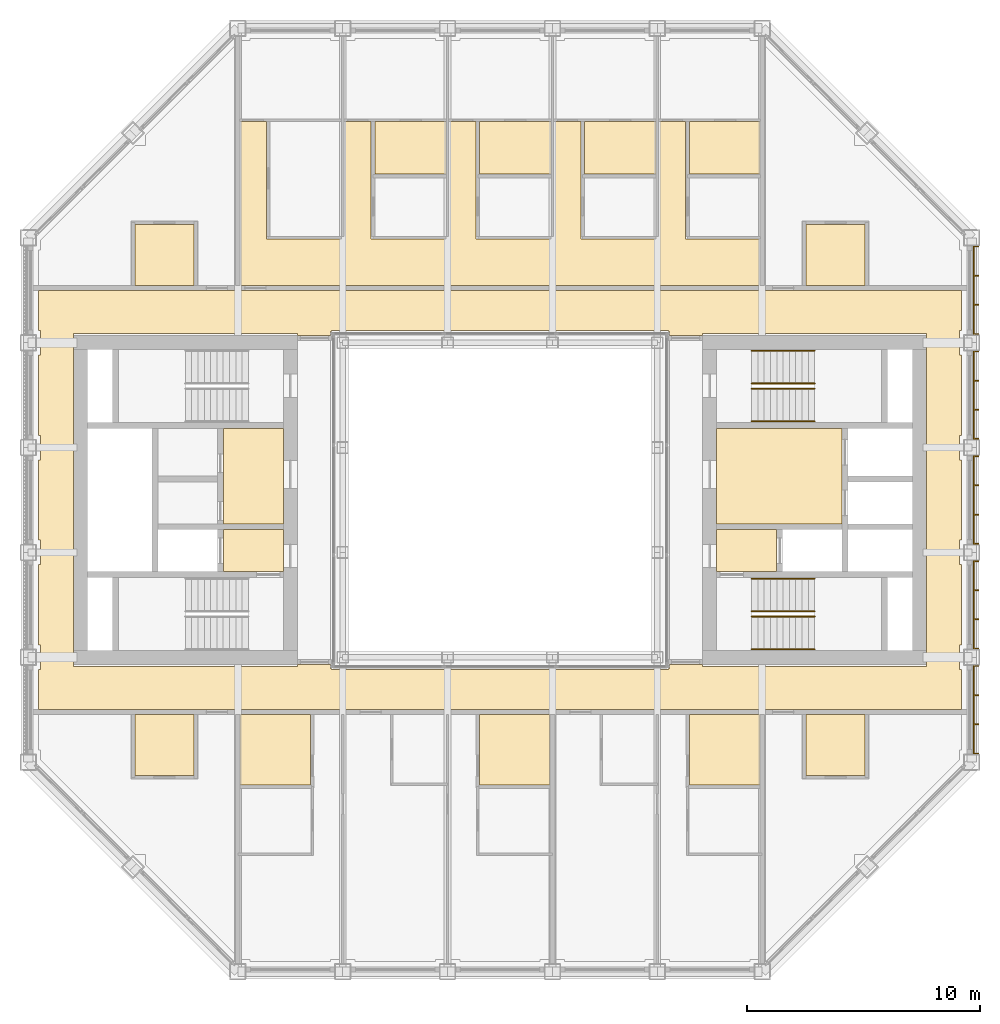
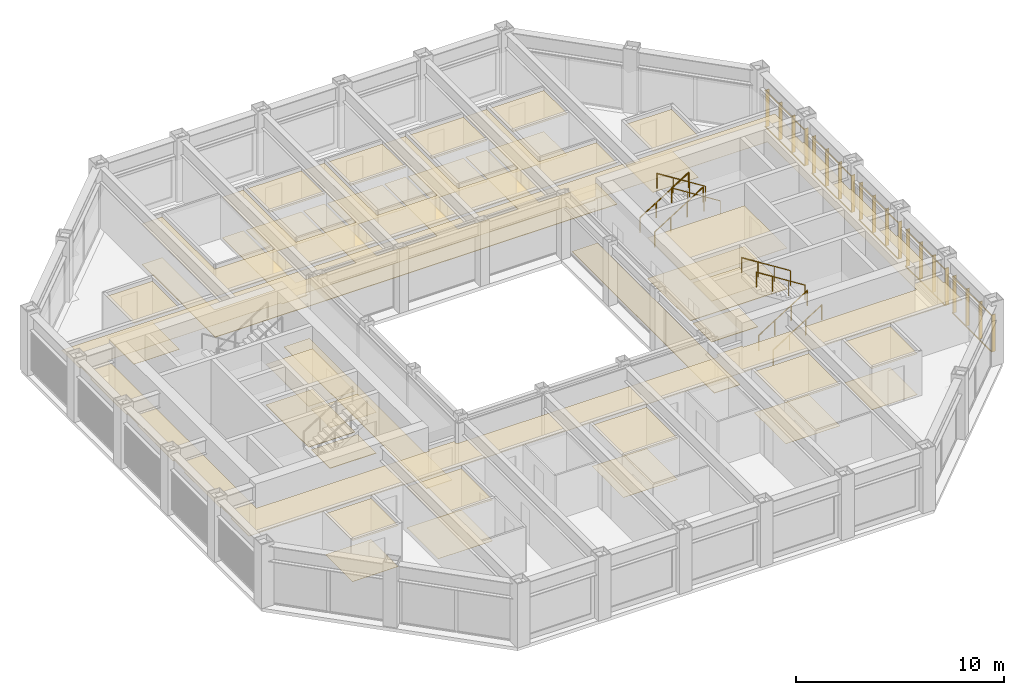
# One storey, part 17 of 18: 8 railings, 4 coverings, 1 shading device.
"""IFC4 building model written with IfcOpenShell, lengths in metres."""

from ifc_helpers import new_model, si_unit, direction, frame, origin, origin_2d, place, context, subcontext, project, spatial, line, indexed_curve, rectangle, circle, outline, extrude, material, layer, layer_set, type_object, element, save


model = new_model("IFC4")

# Units and contexts
model_context = context("Model", 3, precision=1e-05, world=origin(), true_north=direction((0.0, 1.0)))
body_context = subcontext(model_context, "Body", "Model", "MODEL_VIEW")
ifc_project = project(units=[si_unit("LENGTHUNIT", "METRE"), si_unit("AREAUNIT", "SQUARE_METRE"), si_unit("VOLUMEUNIT", "CUBIC_METRE"), si_unit("PLANEANGLEUNIT", "RADIAN"), si_unit("MASSUNIT", "GRAM", prefix="KILO")], contexts=[model_context])

# Site, building, storey
site_placement = place(None, origin())
site = spatial("IfcSite", under=ifc_project, at=site_placement, CompositionType="ELEMENT")
building_placement = place(site_placement, origin())
building = spatial("IfcBuilding", under=site, at=building_placement, Name="Msasa Ring Tower", CompositionType="ELEMENT")
storey_placement = place(building_placement, frame((0.0, 0.0, 249.550048828125)))
storey = spatial("IfcBuildingStorey", under=building, at=storey_placement, Name="L65", CompositionType="ELEMENT", Elevation=249.550048828125)

# Shading device
ifc_material_1 = material(Name="Extruded terracotta on aluminium carriers", Category="masonry")
shading_device_type = type_object("IfcShadingDeviceType", Name="BS2 TERRACOTTA FIN SCREEN 40x200 AT 1350", PredefinedType="USERDEFINED", material=ifc_material_1)
shading_device_placement = place(storey_placement, origin())
element("IfcShadingDevice", 1, at=shading_device_placement, inside=storey, type_object=shading_device_type, Name="Terracotta fin screen E L65", ObjectType="BAGUETTE", PredefinedType="USERDEFINED", context=body_context, shape_type="SweptSolid", body=[
    extrude(rectangle(XDim=0.06005859375, YDim=0.0400390625, at=origin_2d()), frame((20.330078125, -10.89990234375, 0.329833984375), z_axis=(0.0, 1.0, 0.0), x_axis=(0.0, 0.0, 1.0)), (0.0, 0.0, 1.0), 3.800048828125),
    extrude(rectangle(XDim=0.06005859375, YDim=0.0400390625, at=origin_2d()), frame((20.330078125, -10.89990234375, 2.448974609375), z_axis=(0.0, 1.0, 0.0), x_axis=(0.0, 0.0, 1.0)), (0.0, 0.0, 1.0), 3.800048828125),
    extrude(rectangle(XDim=0.0400390625, YDim=0.199951171875, at=origin_2d()), frame((20.445068359375, -10.8798828125, 0.300048828125), z_axis=(0.0, 0.0, 1.0), x_axis=(0.0, 1.0, 0.0)), (0.0, 0.0, 1.0), 2.178955078125),
    extrude(rectangle(XDim=0.0400390625, YDim=0.199951171875, at=origin_2d()), frame((20.445068359375, -9.626708984375, 0.300048828125), z_axis=(0.0, 0.0, 1.0), x_axis=(0.0, 1.0, 0.0)), (0.0, 0.0, 1.0), 2.178955078125),
    extrude(rectangle(XDim=0.0400390625, YDim=0.199951171875, at=origin_2d()), frame((20.445068359375, -8.373291015625, 0.300048828125), z_axis=(0.0, 0.0, 1.0), x_axis=(0.0, 1.0, 0.0)), (0.0, 0.0, 1.0), 2.178955078125),
    extrude(rectangle(XDim=0.0400390625, YDim=0.199951171875, at=origin_2d()), frame((20.445068359375, -7.1201171875, 0.300048828125), z_axis=(0.0, 0.0, 1.0), x_axis=(0.0, 1.0, 0.0)), (0.0, 0.0, 1.0), 2.178955078125),
    extrude(rectangle(XDim=0.06005859375, YDim=0.0400390625, at=origin_2d()), frame((20.330078125, -6.39990234375, 0.329833984375), z_axis=(0.0, 1.0, 0.0), x_axis=(0.0, 0.0, 1.0)), (0.0, 0.0, 1.0), 3.800048828125),
    extrude(rectangle(XDim=0.06005859375, YDim=0.0400390625, at=origin_2d()), frame((20.330078125, -6.39990234375, 2.448974609375), z_axis=(0.0, 1.0, 0.0), x_axis=(0.0, 0.0, 1.0)), (0.0, 0.0, 1.0), 3.800048828125),
    extrude(rectangle(XDim=0.0400390625, YDim=0.199951171875, at=origin_2d()), frame((20.445068359375, -6.3798828125, 0.300048828125), z_axis=(0.0, 0.0, 1.0), x_axis=(0.0, 1.0, 0.0)), (0.0, 0.0, 1.0), 2.178955078125),
    extrude(rectangle(XDim=0.0400390625, YDim=0.199951171875, at=origin_2d()), frame((20.445068359375, -5.126708984375, 0.300048828125), z_axis=(0.0, 0.0, 1.0), x_axis=(0.0, 1.0, 0.0)), (0.0, 0.0, 1.0), 2.178955078125),
    extrude(rectangle(XDim=0.0400390625, YDim=0.199951171875, at=origin_2d()), frame((20.445068359375, -3.873291015625, 0.300048828125), z_axis=(0.0, 0.0, 1.0), x_axis=(0.0, 1.0, 0.0)), (0.0, 0.0, 1.0), 2.178955078125),
    extrude(rectangle(XDim=0.0400390625, YDim=0.199951171875, at=origin_2d()), frame((20.445068359375, -2.6201171875, 0.300048828125), z_axis=(0.0, 0.0, 1.0), x_axis=(0.0, 1.0, 0.0)), (0.0, 0.0, 1.0), 2.178955078125),
    extrude(rectangle(XDim=0.06005859375, YDim=0.0400390625, at=origin_2d()), frame((20.330078125, -1.89990234375, 0.329833984375), z_axis=(0.0, 1.0, 0.0), x_axis=(0.0, 0.0, 1.0)), (0.0, 0.0, 1.0), 3.800048828125),
    extrude(rectangle(XDim=0.06005859375, YDim=0.0400390625, at=origin_2d()), frame((20.330078125, -1.89990234375, 2.448974609375), z_axis=(0.0, 1.0, 0.0), x_axis=(0.0, 0.0, 1.0)), (0.0, 0.0, 1.0), 3.800048828125),
    extrude(rectangle(XDim=0.0400390625, YDim=0.199951171875, at=origin_2d()), frame((20.445068359375, -1.8798828125, 0.300048828125), z_axis=(0.0, 0.0, 1.0), x_axis=(0.0, 1.0, 0.0)), (0.0, 0.0, 1.0), 2.178955078125),
    extrude(rectangle(XDim=0.0400390625, YDim=0.199951171875, at=origin_2d()), frame((20.445068359375, -0.626708984375, 0.300048828125), z_axis=(0.0, 0.0, 1.0), x_axis=(0.0, 1.0, 0.0)), (0.0, 0.0, 1.0), 2.178955078125),
    extrude(rectangle(XDim=0.0400390625, YDim=0.199951171875, at=origin_2d()), frame((20.445068359375, 0.626708984375, 0.300048828125), z_axis=(0.0, 0.0, 1.0), x_axis=(0.0, 1.0, 0.0)), (0.0, 0.0, 1.0), 2.178955078125),
    extrude(rectangle(XDim=0.0400390625, YDim=0.199951171875, at=origin_2d()), frame((20.445068359375, 1.8798828125, 0.300048828125), z_axis=(0.0, 0.0, 1.0), x_axis=(0.0, 1.0, 0.0)), (0.0, 0.0, 1.0), 2.178955078125),
    extrude(rectangle(XDim=0.06005859375, YDim=0.0400390625, at=origin_2d()), frame((20.330078125, 2.60009765625, 0.329833984375), z_axis=(0.0, 1.0, 0.0), x_axis=(0.0, 0.0, 1.0)), (0.0, 0.0, 1.0), 3.800048828125),
    extrude(rectangle(XDim=0.06005859375, YDim=0.0400390625, at=origin_2d()), frame((20.330078125, 2.60009765625, 2.448974609375), z_axis=(0.0, 1.0, 0.0), x_axis=(0.0, 0.0, 1.0)), (0.0, 0.0, 1.0), 3.800048828125),
    extrude(rectangle(XDim=0.0400390625, YDim=0.199951171875, at=origin_2d()), frame((20.445068359375, 2.6201171875, 0.300048828125), z_axis=(0.0, 0.0, 1.0), x_axis=(0.0, 1.0, 0.0)), (0.0, 0.0, 1.0), 2.178955078125),
    extrude(rectangle(XDim=0.0400390625, YDim=0.199951171875, at=origin_2d()), frame((20.445068359375, 3.873291015625, 0.300048828125), z_axis=(0.0, 0.0, 1.0), x_axis=(0.0, 1.0, 0.0)), (0.0, 0.0, 1.0), 2.178955078125),
    extrude(rectangle(XDim=0.0400390625, YDim=0.199951171875, at=origin_2d()), frame((20.445068359375, 5.126708984375, 0.300048828125), z_axis=(0.0, 0.0, 1.0), x_axis=(0.0, 1.0, 0.0)), (0.0, 0.0, 1.0), 2.178955078125),
    extrude(rectangle(XDim=0.0400390625, YDim=0.199951171875, at=origin_2d()), frame((20.445068359375, 6.3798828125, 0.300048828125), z_axis=(0.0, 0.0, 1.0), x_axis=(0.0, 1.0, 0.0)), (0.0, 0.0, 1.0), 2.178955078125),
    extrude(rectangle(XDim=0.06005859375, YDim=0.0400390625, at=origin_2d()), frame((20.330078125, 7.10009765625, 0.329833984375), z_axis=(0.0, 1.0, 0.0), x_axis=(0.0, 0.0, 1.0)), (0.0, 0.0, 1.0), 3.800048828125),
    extrude(rectangle(XDim=0.06005859375, YDim=0.0400390625, at=origin_2d()), frame((20.330078125, 7.10009765625, 2.448974609375), z_axis=(0.0, 1.0, 0.0), x_axis=(0.0, 0.0, 1.0)), (0.0, 0.0, 1.0), 3.800048828125),
    extrude(rectangle(XDim=0.0400390625, YDim=0.199951171875, at=origin_2d()), frame((20.445068359375, 7.1201171875, 0.300048828125), z_axis=(0.0, 0.0, 1.0), x_axis=(0.0, 1.0, 0.0)), (0.0, 0.0, 1.0), 2.178955078125),
    extrude(rectangle(XDim=0.0400390625, YDim=0.199951171875, at=origin_2d()), frame((20.445068359375, 8.373291015625, 0.300048828125), z_axis=(0.0, 0.0, 1.0), x_axis=(0.0, 1.0, 0.0)), (0.0, 0.0, 1.0), 2.178955078125),
    extrude(rectangle(XDim=0.0400390625, YDim=0.199951171875, at=origin_2d()), frame((20.445068359375, 9.626708984375, 0.300048828125), z_axis=(0.0, 0.0, 1.0), x_axis=(0.0, 1.0, 0.0)), (0.0, 0.0, 1.0), 2.178955078125),
    extrude(rectangle(XDim=0.0400390625, YDim=0.199951171875, at=origin_2d()), frame((20.445068359375, 10.8798828125, 0.300048828125), z_axis=(0.0, 0.0, 1.0), x_axis=(0.0, 1.0, 0.0)), (0.0, 0.0, 1.0), 2.178955078125),
])

# Coverings
ifc_material_2 = material(Name="Gypsum plasterboard on a steel suspension grid", Category="steel")
ifc_layer_1 = layer(ifc_material_2, 0.014892578125)
ifc_layer_set_1 = layer_set([ifc_layer_1], Name="C1 SUSPENDED PLASTERBOARD CEILING 15")
covering_type_1 = type_object("IfcCoveringType", Name="C1 SUSPENDED PLASTERBOARD CEILING 15", PredefinedType="CEILING", material=ifc_layer_set_1)
covering_1_placement = place(storey_placement, frame((0.0, 0.0, 2.39990234375)))
element("IfcCovering", 2, at=covering_1_placement, inside=storey, type_object=covering_type_1, Name="Suspended Plasterboard Ceiling 15 circulation L65", PredefinedType="CEILING", context=body_context, shape_type="SweptSolid", body=[
    extrude(outline(indexed_curve([(19.799560546875, 7.275390625), (19.724609375, 7.275390625), (19.724609375, 6.224609375), (19.799560546875, 6.224609375), (19.799560546875, 2.775390625), (19.724609375, 2.775390625), (19.724609375, 1.724609375), (19.799560546875, 1.724609375), (19.799560546875, -1.724609375), (19.724609375, -1.724609375), (19.724609375, -2.775390625), (19.799560546875, -2.775390625), (19.799560546875, -6.224609375), (19.724609375, -6.224609375), (19.724609375, -7.275390625), (19.799560546875, -7.275390625), (19.799560546875, -8.99951171875), (-19.799560546875, -8.99951171875), (-19.799560546875, -7.275390625), (-19.724609375, -7.275390625), (-19.724609375, -6.224609375), (-19.799560546875, -6.224609375), (-19.799560546875, -2.775390625), (-19.724609375, -2.775390625), (-19.724609375, -1.724609375), (-19.799560546875, -1.724609375), (-19.799560546875, 1.724609375), (-19.724609375, 1.724609375), (-19.724609375, 2.775390625), (-19.799560546875, 2.775390625), (-19.799560546875, 6.224609375), (-19.724609375, 6.224609375), (-19.724609375, 7.275390625), (-19.799560546875, 7.275390625), (-19.799560546875, 8.99951171875), (19.799560546875, 8.99951171875)], segments=[line(1, 2, 3, 4, 5, 6, 7, 8, 9, 10, 11, 12, 13, 14, 15, 16, 17, 18, 19, 20, 21, 22, 23, 24, 25, 26, 27, 28, 29, 30, 31, 32, 33, 34, 35, 36, 1)], self_intersect=False), holes=[indexed_curve([(8.699462890625, -7.150390625), (18.300537109375, -7.150390625), (18.300537109375, 7.150390625), (8.699462890625, 7.150390625), (8.699462890625, 7.050537109375), (7.280029296875, 7.050537109375), (7.280517578125, 7.23046875), (7.22998046875, 7.23046875), (7.22998046875, 7.280029296875), (-7.22998046875, 7.280029296875), (-7.22998046875, 7.23046875), (-7.280517578125, 7.23046875), (-7.280029296875, 7.050537109375), (-8.699462890625, 7.050537109375), (-8.699462890625, 7.150390625), (-18.300537109375, 7.150390625), (-18.300537109375, -7.150390625), (-8.699462890625, -7.150390625), (-8.699462890625, -7.050537109375), (-7.280029296875, -7.050537109375), (-7.280517578125, -7.23046875), (-7.22998046875, -7.23046875), (-7.22998046875, -7.280029296875), (7.22998046875, -7.280029296875), (7.22998046875, -7.23046875), (7.280517578125, -7.23046875), (7.280029296875, -7.050537109375), (8.699462890625, -7.050537109375)], segments=[line(1, 2, 3, 4, 5, 6, 7, 8, 9, 10, 11, 12, 13, 14, 15, 16, 17, 18, 19, 20, 21, 22, 23, 24, 25, 26, 27, 28, 1)], self_intersect=False)]), origin(), (0.0, 0.0, 1.0), 0.01513671875),
    extrude(outline(indexed_curve([(-9.300537109375, -3.074462890625), (-11.87451171875, -3.074462890625), (-11.87451171875, -1.275390625), (-9.300537109375, -1.275390625)], segments=[line(1, 2, 3, 4, 1)], self_intersect=False)), origin(), (0.0, 0.0, 1.0), 0.01513671875),
    extrude(outline(indexed_curve([(-9.300537109375, -1.0244140625), (-11.87451171875, -1.0244140625), (-11.87451171875, 3.074462890625), (-9.300537109375, 3.074462890625)], segments=[line(1, 2, 3, 4, 1)], self_intersect=False)), origin(), (0.0, 0.0, 1.0), 0.01513671875),
    extrude(outline(indexed_curve([(-6.689453125, 16.244384765625), (-5.530517578125, 16.244384765625), (-5.530517578125, 11.199462890625), (-2.189453125, 11.199462890625), (-2.189453125, 16.244384765625), (-1.030517578125, 16.244384765625), (-1.030517578125, 11.199462890625), (2.310546875, 11.199462890625), (2.310546875, 16.244384765625), (3.469482421875, 16.244384765625), (3.469482421875, 11.199462890625), (6.810546875, 11.199462890625), (6.810546875, 16.244384765625), (7.969482421875, 16.244384765625), (7.969482421875, 11.199462890625), (11.1494140625, 11.199462890625), (11.1494140625, 9.200439453125), (-11.1494140625, 9.200439453125), (-11.1494140625, 16.244384765625), (-10.030517578125, 16.244384765625), (-10.030517578125, 11.199462890625), (-6.689453125, 11.199462890625)], segments=[line(1, 2, 3, 4, 5, 6, 7, 8, 9, 10, 11, 12, 13, 14, 15, 16, 17, 18, 19, 20, 21, 22, 1)], self_intersect=False)), origin(), (0.0, 0.0, 1.0), 0.01513671875),
    extrude(outline(indexed_curve([(9.300537109375, -3.074462890625), (9.300537109375, -1.275390625), (11.87451171875, -1.275390625), (11.87451171875, -3.074462890625)], segments=[line(1, 2, 3, 4, 1)], self_intersect=False)), origin(), (0.0, 0.0, 1.0), 0.01513671875),
    extrude(outline(indexed_curve([(9.300537109375, -1.0244140625), (9.300537109375, 3.074462890625), (14.674560546875, 3.074462890625), (14.674560546875, -1.0244140625)], segments=[line(1, 2, 3, 4, 1)], self_intersect=False)), origin(), (0.0, 0.0, 1.0), 0.01513671875),
])
ifc_material_3 = material(Name="Moisture-resistant gypsum plasterboard on a steel suspension grid", Category="steel")
ifc_layer_2 = layer(ifc_material_3, 0.014892578125)
ifc_layer_set_2 = layer_set([ifc_layer_2], Name="C2 MOISTURE-RESISTANT PLASTERBOARD CEILING 15")
covering_type_2 = type_object("IfcCoveringType", Name="C2 MOISTURE-RESISTANT PLASTERBOARD CEILING 15", PredefinedType="CEILING", material=ifc_layer_set_2)
covering_2_placement = place(storey_placement, frame((0.0, 0.0, 2.39990234375)))
element("IfcCovering", 3, at=covering_2_placement, inside=storey, type_object=covering_type_2, Name="Moisture-Resistant Plasterboard Ceiling 15 L65", PredefinedType="CEILING", context=body_context, shape_type="SweptSolid", body=[
    extrude(outline(indexed_curve([(-15.66943359375, -11.819580078125), (-15.66943359375, -9.200439453125), (-13.130615234375, -9.200439453125), (-13.130615234375, -11.819580078125)], segments=[line(1, 2, 3, 4, 1)], self_intersect=False)), origin(), (0.0, 0.0, 1.0), 0.01513671875),
    extrude(outline(indexed_curve([(-15.66943359375, 11.819580078125), (-13.130615234375, 11.819580078125), (-13.130615234375, 9.200439453125), (-15.66943359375, 9.200439453125)], segments=[line(1, 2, 3, 4, 1)], self_intersect=False)), origin(), (0.0, 0.0, 1.0), 0.01513671875),
    extrude(outline(indexed_curve([(-11.1494140625, -9.200439453125), (-8.12548828125, -9.200439453125), (-8.12548828125, -12.224609375), (-11.1494140625, -12.224609375)], segments=[line(1, 2, 3, 4, 1)], self_intersect=False)), origin(), (0.0, 0.0, 1.0), 0.01513671875),
    extrude(outline(indexed_curve([(-5.369384765625, 16.244384765625), (-2.310546875, 16.244384765625), (-2.310546875, 13.98046875), (-5.369384765625, 13.98046875)], segments=[line(1, 2, 3, 4, 1)], self_intersect=False)), origin(), (0.0, 0.0, 1.0), 0.01513671875),
    extrude(outline(indexed_curve([(2.1494140625, -9.200439453125), (2.1494140625, -12.224609375), (-0.87451171875, -12.224609375), (-0.87451171875, -9.200439453125)], segments=[line(1, 2, 3, 4, 1)], self_intersect=False)), origin(), (0.0, 0.0, 1.0), 0.01513671875),
    extrude(outline(indexed_curve([(-0.869384765625, 13.98046875), (-0.869384765625, 16.244384765625), (2.189453125, 16.244384765625), (2.189453125, 13.98046875)], segments=[line(1, 2, 3, 4, 1)], self_intersect=False)), origin(), (0.0, 0.0, 1.0), 0.01513671875),
    extrude(outline(indexed_curve([(3.630615234375, 16.244384765625), (6.689453125, 16.244384765625), (6.689453125, 13.98046875), (3.630615234375, 13.98046875)], segments=[line(1, 2, 3, 4, 1)], self_intersect=False)), origin(), (0.0, 0.0, 1.0), 0.01513671875),
    extrude(outline(indexed_curve([(11.1494140625, -9.200439453125), (11.1494140625, -12.224609375), (8.12548828125, -12.224609375), (8.12548828125, -9.200439453125)], segments=[line(1, 2, 3, 4, 1)], self_intersect=False)), origin(), (0.0, 0.0, 1.0), 0.01513671875),
    extrude(outline(indexed_curve([(8.130615234375, 16.244384765625), (11.1494140625, 16.244384765625), (11.1494140625, 13.98046875), (8.130615234375, 13.98046875)], segments=[line(1, 2, 3, 4, 1)], self_intersect=False)), origin(), (0.0, 0.0, 1.0), 0.01513671875),
    extrude(outline(indexed_curve([(13.130615234375, -9.200439453125), (15.66943359375, -9.200439453125), (15.66943359375, -11.819580078125), (13.130615234375, -11.819580078125)], segments=[line(1, 2, 3, 4, 1)], self_intersect=False)), origin(), (0.0, 0.0, 1.0), 0.01513671875),
    extrude(outline(indexed_curve([(13.130615234375, 9.200439453125), (13.130615234375, 11.819580078125), (15.66943359375, 11.819580078125), (15.66943359375, 9.200439453125)], segments=[line(1, 2, 3, 4, 1)], self_intersect=False)), origin(), (0.0, 0.0, 1.0), 0.01513671875),
])
ifc_material_4 = material(Name="Honed granite tiles on a mortar bed", Category="masonry")
ifc_layer_3 = layer(ifc_material_4, 0.030029296875)
ifc_layer_set_3 = layer_set([ifc_layer_3], Name="F1 HONED GRANITE ON BEDDING 30")
covering_type_3 = type_object("IfcCoveringType", Name="F1 HONED GRANITE ON BEDDING 30", PredefinedType="FLOORING", material=ifc_layer_set_3)
covering_3_placement = place(storey_placement, origin())
element("IfcCovering", 4, at=covering_3_placement, inside=storey, type_object=covering_type_3, Name="Honed Granite On Bedding 30 L65", PredefinedType="FLOORING", context=body_context, shape_type="SweptSolid", body=[
    extrude(outline(indexed_curve([(-11.87451171875, -3.074462890625), (-11.87451171875, -1.275390625), (-9.300537109375, -1.275390625), (-9.300537109375, -3.074462890625)], segments=[line(1, 2, 3, 4, 1)], self_intersect=False)), origin(), (0.0, 0.0, 1.0), 0.030029296875),
    extrude(outline(indexed_curve([(-11.87451171875, 3.074462890625), (-9.300537109375, 3.074462890625), (-9.300537109375, -1.0244140625), (-11.87451171875, -1.0244140625)], segments=[line(1, 2, 3, 4, 1)], self_intersect=False)), origin(), (0.0, 0.0, 1.0), 0.030029296875),
    extrude(outline(indexed_curve([(-5.530517578125, 16.244384765625), (-5.530517578125, 11.199462890625), (-2.189453125, 11.199462890625), (-2.189453125, 16.244384765625), (-1.030517578125, 16.244384765625), (-1.030517578125, 11.199462890625), (2.310546875, 11.199462890625), (2.310546875, 16.244384765625), (3.469482421875, 16.244384765625), (3.469482421875, 11.199462890625), (6.810546875, 11.199462890625), (6.810546875, 16.244384765625), (7.969482421875, 16.244384765625), (7.969482421875, 11.199462890625), (11.1494140625, 11.199462890625), (11.1494140625, 9.200439453125), (-11.1494140625, 9.200439453125), (-11.1494140625, 16.244384765625), (-10.030517578125, 16.244384765625), (-10.030517578125, 11.199462890625), (-6.689453125, 11.199462890625), (-6.689453125, 16.244384765625)], segments=[line(1, 2, 3, 4, 5, 6, 7, 8, 9, 10, 11, 12, 13, 14, 15, 16, 17, 18, 19, 20, 21, 22, 1)], self_intersect=False)), origin(), (0.0, 0.0, 1.0), 0.030029296875),
    extrude(outline(indexed_curve([(-8.699462890625, 6.849609375), (-7.280029296875, 6.849609375), (-7.280029296875, -6.849609375), (-8.699462890625, -6.849609375)], segments=[line(1, 2, 3, 4, 1)], self_intersect=False)), origin(), (0.0, 0.0, 1.0), 0.030029296875),
    extrude(outline(indexed_curve([(8.699462890625, 6.849609375), (8.699462890625, -6.849609375), (7.280029296875, -6.849609375), (7.280029296875, 6.849609375)], segments=[line(1, 2, 3, 4, 1)], self_intersect=False)), origin(), (0.0, 0.0, 1.0), 0.030029296875),
    extrude(outline(indexed_curve([(9.300537109375, -1.275390625), (11.87451171875, -1.275390625), (11.87451171875, -3.074462890625), (9.300537109375, -3.074462890625)], segments=[line(1, 2, 3, 4, 1)], self_intersect=False)), origin(), (0.0, 0.0, 1.0), 0.030029296875),
    extrude(outline(indexed_curve([(9.300537109375, 3.074462890625), (14.674560546875, 3.074462890625), (14.674560546875, -1.0244140625), (9.300537109375, -1.0244140625)], segments=[line(1, 2, 3, 4, 1)], self_intersect=False)), origin(), (0.0, 0.0, 1.0), 0.030029296875),
])
ifc_material_5 = material(Name="Porcelain floor tiles in adhesive", Category="ceramic")
ifc_layer_4 = layer(ifc_material_5, 0.010009765625)
ifc_layer_set_4 = layer_set([ifc_layer_4], Name="F4 PORCELAIN TILE ON ADHESIVE 10")
covering_type_4 = type_object("IfcCoveringType", Name="F4 PORCELAIN TILE ON ADHESIVE 10", PredefinedType="FLOORING", material=ifc_layer_set_4)
covering_4_placement = place(storey_placement, origin())
element("IfcCovering", 5, at=covering_4_placement, inside=storey, type_object=covering_type_4, Name="Porcelain Tile On Adhesive 10 L65", PredefinedType="FLOORING", context=body_context, shape_type="SweptSolid", body=[
    extrude(outline(indexed_curve([(-15.66943359375, -9.200439453125), (-13.130615234375, -9.200439453125), (-13.130615234375, -11.819580078125), (-15.66943359375, -11.819580078125)], segments=[line(1, 2, 3, 4, 1)], self_intersect=False)), origin(), (0.0, 0.0, 1.0), 0.010009765625),
    extrude(outline(indexed_curve([(-13.130615234375, 11.819580078125), (-13.130615234375, 9.200439453125), (-15.66943359375, 9.200439453125), (-15.66943359375, 11.819580078125)], segments=[line(1, 2, 3, 4, 1)], self_intersect=False)), origin(), (0.0, 0.0, 1.0), 0.010009765625),
    extrude(outline(indexed_curve([(-11.1494140625, -9.200439453125), (-8.12548828125, -9.200439453125), (-8.12548828125, -12.224609375), (-11.1494140625, -12.224609375)], segments=[line(1, 2, 3, 4, 1)], self_intersect=False)), origin(), (0.0, 0.0, 1.0), 0.010009765625),
    extrude(outline(indexed_curve([(-2.310546875, 16.244384765625), (-2.310546875, 13.98046875), (-5.369384765625, 13.98046875), (-5.369384765625, 16.244384765625)], segments=[line(1, 2, 3, 4, 1)], self_intersect=False)), origin(), (0.0, 0.0, 1.0), 0.010009765625),
    extrude(outline(indexed_curve([(2.1494140625, -9.200439453125), (2.1494140625, -12.224609375), (-0.87451171875, -12.224609375), (-0.87451171875, -9.200439453125)], segments=[line(1, 2, 3, 4, 1)], self_intersect=False)), origin(), (0.0, 0.0, 1.0), 0.010009765625),
    extrude(outline(indexed_curve([(-0.869384765625, 16.244384765625), (2.189453125, 16.244384765625), (2.189453125, 13.98046875), (-0.869384765625, 13.98046875)], segments=[line(1, 2, 3, 4, 1)], self_intersect=False)), origin(), (0.0, 0.0, 1.0), 0.010009765625),
    extrude(outline(indexed_curve([(6.689453125, 16.244384765625), (6.689453125, 13.98046875), (3.630615234375, 13.98046875), (3.630615234375, 16.244384765625)], segments=[line(1, 2, 3, 4, 1)], self_intersect=False)), origin(), (0.0, 0.0, 1.0), 0.010009765625),
    extrude(outline(indexed_curve([(11.1494140625, -9.200439453125), (11.1494140625, -12.224609375), (8.12548828125, -12.224609375), (8.12548828125, -9.200439453125)], segments=[line(1, 2, 3, 4, 1)], self_intersect=False)), origin(), (0.0, 0.0, 1.0), 0.010009765625),
    extrude(outline(indexed_curve([(11.1494140625, 16.244384765625), (11.1494140625, 13.98046875), (8.130615234375, 13.98046875), (8.130615234375, 16.244384765625)], segments=[line(1, 2, 3, 4, 1)], self_intersect=False)), origin(), (0.0, 0.0, 1.0), 0.010009765625),
    extrude(outline(indexed_curve([(15.66943359375, -9.200439453125), (15.66943359375, -11.819580078125), (13.130615234375, -11.819580078125), (13.130615234375, -9.200439453125)], segments=[line(1, 2, 3, 4, 1)], self_intersect=False)), origin(), (0.0, 0.0, 1.0), 0.010009765625),
    extrude(outline(indexed_curve([(13.130615234375, 11.819580078125), (15.66943359375, 11.819580078125), (15.66943359375, 9.200439453125), (13.130615234375, 9.200439453125)], segments=[line(1, 2, 3, 4, 1)], self_intersect=False)), origin(), (0.0, 0.0, 1.0), 0.010009765625),
])

# Railings
ifc_material_6 = material(Name="Stainless steel", Category="steel")
railing_type = type_object("IfcRailingType", Name="HR1 HANDRAIL 900", PredefinedType="HANDRAIL", material=ifc_material_6)
for number, where, name in (
    (6, (10.800048828125, -6.39990234375, 0.17041015625), "Handrail stair SEA L65 1"),
    (7, (10.800048828125, -5.0, 0.17041015625), "Handrail stair SEA L65 2"),
):
    element("IfcRailing", number, at=place(storey_placement, frame(where)), inside=storey, type_object=railing_type, Name=name, PredefinedType="HANDRAIL", context=body_context, shape_type="SweptSolid", body=[
        extrude(circle(Radius=0.02392578125, at=origin_2d()), frame((0.0, 0.0, 0.8759765625), z_axis=(0.845579735284, 0.0, 0.533849146555), x_axis=(0.0, 1.0, 0.0)), (0.0, 0.0, 1.0), 3.193115234375),
        extrude(circle(Radius=0.02099609375, at=origin_2d()), origin(), (0.0, 0.0, 1.0), 0.851806640625),
        extrude(circle(Radius=0.02099609375, at=origin_2d()), frame((0.89990234375, 0.0, 0.568115234375)), (0.0, 0.0, 1.0), 0.851806640625),
        extrude(circle(Radius=0.02099609375, at=origin_2d()), frame((1.800048828125, 0.0, 1.136474609375)), (0.0, 0.0, 1.0), 0.851806640625),
        extrude(circle(Radius=0.02099609375, at=origin_2d()), frame((2.699951171875, 0.0, 1.70458984375)), (0.0, 0.0, 1.0), 0.851806640625),
    ])
for number, where, name in (
    (8, (13.5, -4.77490234375, 2.04541015625), "Handrail stair SEA L65 3"),
    (9, (13.5, -3.375, 2.04541015625), "Handrail stair SEA L65 4"),
):
    element("IfcRailing", number, at=place(storey_placement, frame(where)), inside=storey, type_object=railing_type, Name=name, PredefinedType="HANDRAIL", context=body_context, shape_type="SweptSolid", body=[
        extrude(circle(Radius=0.02392578125, at=origin_2d()), frame((0.0, 0.0, 0.8759765625), z_axis=(-0.845579735284, 0.0, 0.533849146555), x_axis=(0.0, -1.0, 0.0)), (0.0, 0.0, 1.0), 3.193115234375),
        extrude(circle(Radius=0.02099609375, at=origin_2d()), origin(), (0.0, 0.0, 1.0), 0.851806640625),
        extrude(circle(Radius=0.02099609375, at=origin_2d()), frame((-0.89990234375, 0.0, 0.568115234375)), (0.0, 0.0, 1.0), 0.851806640625),
        extrude(circle(Radius=0.02099609375, at=origin_2d()), frame((-1.800048828125, 0.0, 1.136474609375)), (0.0, 0.0, 1.0), 0.851806640625),
        extrude(circle(Radius=0.02099609375, at=origin_2d()), frame((-2.699951171875, 0.0, 1.70458984375)), (0.0, 0.0, 1.0), 0.851806640625),
    ])
for number, where, name in (
    (10, (10.800048828125, 5.0, 0.17041015625), "Handrail stair SEB L65 1"),
    (11, (10.800048828125, 6.39990234375, 0.17041015625), "Handrail stair SEB L65 2"),
):
    element("IfcRailing", number, at=place(storey_placement, frame(where)), inside=storey, type_object=railing_type, Name=name, PredefinedType="HANDRAIL", context=body_context, shape_type="SweptSolid", body=[
        extrude(circle(Radius=0.02392578125, at=origin_2d()), frame((0.0, 0.0, 0.8759765625), z_axis=(0.845579735284, 0.0, 0.533849146555), x_axis=(0.0, 1.0, 0.0)), (0.0, 0.0, 1.0), 3.193115234375),
        extrude(circle(Radius=0.02099609375, at=origin_2d()), origin(), (0.0, 0.0, 1.0), 0.851806640625),
        extrude(circle(Radius=0.02099609375, at=origin_2d()), frame((0.89990234375, 0.0, 0.568115234375)), (0.0, 0.0, 1.0), 0.851806640625),
        extrude(circle(Radius=0.02099609375, at=origin_2d()), frame((1.800048828125, 0.0, 1.136474609375)), (0.0, 0.0, 1.0), 0.851806640625),
        extrude(circle(Radius=0.02099609375, at=origin_2d()), frame((2.699951171875, 0.0, 1.70458984375)), (0.0, 0.0, 1.0), 0.851806640625),
    ])
for number, where, name in (
    (12, (13.5, 3.375, 2.04541015625), "Handrail stair SEB L65 3"),
    (13, (13.5, 4.77490234375, 2.04541015625), "Handrail stair SEB L65 4"),
):
    element("IfcRailing", number, at=place(storey_placement, frame(where)), inside=storey, type_object=railing_type, Name=name, PredefinedType="HANDRAIL", context=body_context, shape_type="SweptSolid", body=[
        extrude(circle(Radius=0.02392578125, at=origin_2d()), frame((0.0, 0.0, 0.8759765625), z_axis=(-0.845579735284, 0.0, 0.533849146555), x_axis=(0.0, -1.0, 0.0)), (0.0, 0.0, 1.0), 3.193115234375),
        extrude(circle(Radius=0.02099609375, at=origin_2d()), origin(), (0.0, 0.0, 1.0), 0.851806640625),
        extrude(circle(Radius=0.02099609375, at=origin_2d()), frame((-0.89990234375, 0.0, 0.568115234375)), (0.0, 0.0, 1.0), 0.851806640625),
        extrude(circle(Radius=0.02099609375, at=origin_2d()), frame((-1.800048828125, 0.0, 1.136474609375)), (0.0, 0.0, 1.0), 0.851806640625),
        extrude(circle(Radius=0.02099609375, at=origin_2d()), frame((-2.699951171875, 0.0, 1.70458984375)), (0.0, 0.0, 1.0), 0.851806640625),
    ])

save(model, "model.ifc")
